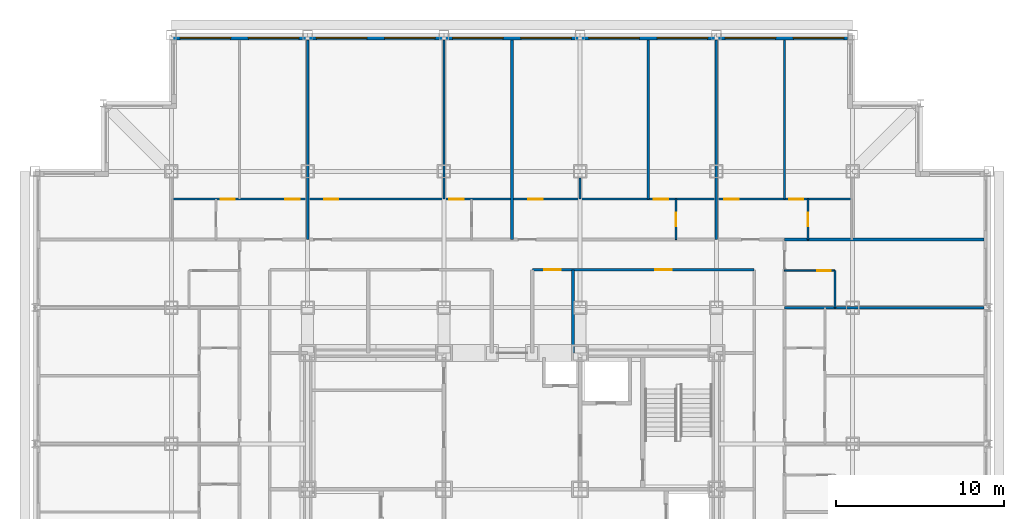
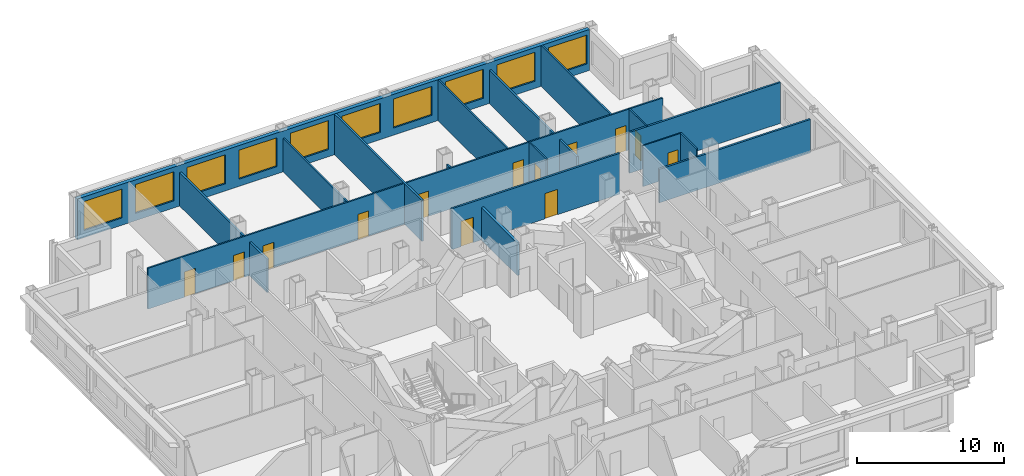
# One storey, part 10 of 12: 17 walls, 13 doors, 10 windows, 23 openings.
"""IFC4 building model written with IfcOpenShell, lengths in metres."""

from ifc_helpers import new_model, si_unit, direction, frame, frame_2d, origin, place, context, subcontext, project, spatial, rectangle, extrude, material, layer, layer_set, type_object, element, fill, save


model = new_model("IFC4")

# Units and contexts
model_context = context("Model", 3, precision=1e-05, world=origin(), true_north=direction((0.0, 1.0)))
body_context = subcontext(model_context, "Body", "Model", "MODEL_VIEW")
ifc_project = project(units=[si_unit("LENGTHUNIT", "METRE"), si_unit("AREAUNIT", "SQUARE_METRE"), si_unit("VOLUMEUNIT", "CUBIC_METRE"), si_unit("PLANEANGLEUNIT", "RADIAN"), si_unit("MASSUNIT", "GRAM", prefix="KILO")], contexts=[model_context])

# Site, building, storey
site_placement = place(None, origin())
site = spatial("IfcSite", under=ifc_project, at=site_placement, CompositionType="ELEMENT")
building_placement = place(site_placement, origin())
building = spatial("IfcBuilding", under=site, at=building_placement, Name="Kopane Lantern Tower", CompositionType="ELEMENT")
storey_placement = place(building_placement, frame((0.0, 0.0, 181.199951171875)))
storey = spatial("IfcBuildingStorey", under=building, at=storey_placement, Name="L46", CompositionType="ELEMENT", Elevation=181.199951171875)

# Walls
ifc_material_1 = material(Name="Gypsum board on steel studs", Category="steel")
ifc_layer_1 = layer(ifc_material_1, 0.1201171875)
ifc_layer_set_1 = layer_set([ifc_layer_1], Name="APARTMENT INTERNAL WALL 120")
wall_type_1 = type_object("IfcWallType", Name="APARTMENT INTERNAL WALL 120", PredefinedType="PARTITIONING", material=ifc_layer_set_1)
wall_1_placement = place(storey_placement, frame((24.300048828125, 49.64990234375, 0.0), z_axis=(0.0, 0.0, 1.0), x_axis=(0.0, 1.0, 0.0)))
element("IfcWall", 1, at=wall_1_placement, inside=storey, type_object=wall_type_1, Name="Apartment Internal Wall 120 L46", PredefinedType="PARTITIONING", context=body_context, shape_type="SweptSolid", body=[
    extrude(rectangle(XDim=9.4501953125, YDim=0.1201171875, at=frame_2d((4.72509765625, 0.0))), origin(), (0.0, 0.0, 1.0), 2.77783203125),
])
for number, where, z_axis, x_axis, name in (
    (2, (36.449951171875, 49.64990234375, 0.0), (0.0, 0.0, 1.0), (0.0, 1.0, 0.0), "Apartment Internal Wall 120 L46"),
    (3, (44.550048828125, 49.64990234375, 0.0), (0.0, 0.0, 1.0), (0.0, 1.0, 0.0), "Apartment Internal Wall 120 L46"),
):
    element("IfcWall", number, at=place(storey_placement, frame(where, z_axis=z_axis, x_axis=x_axis)), inside=storey, type_object=wall_type_1, Name=name, PredefinedType="PARTITIONING", context=body_context, shape_type="SweptSolid", body=[
        extrude(rectangle(XDim=9.4501953125, YDim=0.1201171875, at=frame_2d((4.72509765625, 0.0))), origin(), (0.0, 0.0, 1.0), 3.39013671875),
    ])

# Wall, openings, doors
wall_2_placement = place(storey_placement, frame((8.14990234375, 49.64990234375, 0.0), z_axis=(0.0, 0.0, 1.0), x_axis=(1.0, 0.0, 0.0)))
wall_2 = element("IfcWall", 4, at=wall_2_placement, inside=storey, type_object=wall_type_1, Name="Apartment Internal Wall 120 L46", PredefinedType="PARTITIONING", context=body_context, shape_type="SweptSolid", body=[
    extrude(rectangle(XDim=40.400146484375, YDim=0.1201171875, at=frame_2d((20.2001953125, 0.0))), origin(), (0.0, 0.0, 1.0), 3.39013671875),
])
opening_1_placement = place(wall_2_placement, frame((9.02490234375, 0.0, 0.0)))
opening_1 = element("IfcOpeningElement", 5, at=opening_1_placement, cuts=wall_2, Name="Opening L46-026", PredefinedType="OPENING", context=body_context, shape_type="SweptSolid", body=[
    extrude(rectangle(XDim=0.85009765625, YDim=2.10009765625, at=frame_2d((0.425048828125, 1.050048828125))), frame((0.0, 0.070068359375, 0.0), z_axis=(0.0, -1.0, 0.0), x_axis=(1.0, 0.0, 0.0)), (0.0, 0.0, 1.0), 0.14013671875),
])
opening_2_placement = place(wall_2_placement, frame((16.47509765625, 0.0, 0.0)))
opening_2 = element("IfcOpeningElement", 6, at=opening_2_placement, cuts=wall_2, Name="Opening L46-027", PredefinedType="OPENING", context=body_context, shape_type="SweptSolid", body=[
    extrude(rectangle(XDim=0.85009765625, YDim=2.10009765625, at=frame_2d((0.425048828125, 1.050048828125))), frame((0.0, 0.070068359375, 0.0), z_axis=(0.0, -1.0, 0.0), x_axis=(1.0, 0.0, 0.0)), (0.0, 0.0, 1.0), 0.14013671875),
])
opening_3_placement = place(wall_2_placement, frame((21.175048828125, 0.0, 0.0)))
opening_3 = element("IfcOpeningElement", 7, at=opening_3_placement, cuts=wall_2, Name="Opening L46-030", PredefinedType="OPENING", context=body_context, shape_type="SweptSolid", body=[
    extrude(rectangle(XDim=0.85009765625, YDim=2.10009765625, at=frame_2d((0.425048828125, 1.050048828125))), frame((0.0, 0.070068359375, 0.0), z_axis=(0.0, -1.0, 0.0), x_axis=(1.0, 0.0, 0.0)), (0.0, 0.0, 1.0), 0.14013671875),
])
opening_4_placement = place(wall_2_placement, frame((28.625, 0.0, 0.0)))
opening_4 = element("IfcOpeningElement", 8, at=opening_4_placement, cuts=wall_2, Name="Opening L46-031", PredefinedType="OPENING", context=body_context, shape_type="SweptSolid", body=[
    extrude(rectangle(XDim=0.85009765625, YDim=2.10009765625, at=frame_2d((0.425048828125, 1.050048828125))), frame((0.0, 0.070068359375, 0.0), z_axis=(0.0, -1.0, 0.0), x_axis=(1.0, 0.0, 0.0)), (0.0, 0.0, 1.0), 0.14013671875),
])
opening_5_placement = place(wall_2_placement, frame((32.824951171875, 0.0, 0.0)))
opening_5 = element("IfcOpeningElement", 9, at=opening_5_placement, cuts=wall_2, Name="Opening L46-069", PredefinedType="OPENING", context=body_context, shape_type="SweptSolid", body=[
    extrude(rectangle(XDim=0.85009765625, YDim=2.10009765625, at=frame_2d((0.425048828125, 1.050048828125))), frame((0.0, 0.070068359375, 0.0), z_axis=(0.0, -1.0, 0.0), x_axis=(1.0, 0.0, 0.0)), (0.0, 0.0, 1.0), 0.14013671875),
])
opening_6_placement = place(wall_2_placement, frame((36.675048828125, 0.0, 0.0)))
opening_6 = element("IfcOpeningElement", 10, at=opening_6_placement, cuts=wall_2, Name="Opening L46-071", PredefinedType="OPENING", context=body_context, shape_type="SweptSolid", body=[
    extrude(rectangle(XDim=0.85009765625, YDim=2.10009765625, at=frame_2d((0.425048828125, 1.050048828125))), frame((0.0, 0.070068359375, 0.0), z_axis=(0.0, -1.0, 0.0), x_axis=(1.0, 0.0, 0.0)), (0.0, 0.0, 1.0), 0.14013671875),
])
opening_7_placement = place(wall_2_placement, frame((6.72509765625, 0.0, 0.0)))
opening_7 = element("IfcOpeningElement", 11, at=opening_7_placement, cuts=wall_2, Name="Opening L46-073", PredefinedType="OPENING", context=body_context, shape_type="SweptSolid", body=[
    extrude(rectangle(XDim=0.85009765625, YDim=2.10009765625, at=frame_2d((0.425048828125, 1.050048828125))), frame((0.0, 0.070068359375, 0.0), z_axis=(0.0, -1.0, 0.0), x_axis=(1.0, 0.0, 0.0)), (0.0, 0.0, 1.0), 0.14013671875),
])
opening_8_placement = place(wall_2_placement, frame((2.875, 0.0, 0.0)))
opening_8 = element("IfcOpeningElement", 12, at=opening_8_placement, cuts=wall_2, Name="Opening L46-075", PredefinedType="OPENING", context=body_context, shape_type="SweptSolid", body=[
    extrude(rectangle(XDim=0.85009765625, YDim=2.10009765625, at=frame_2d((0.425048828125, 1.050048828125))), frame((0.0, 0.070068359375, 0.0), z_axis=(0.0, -1.0, 0.0), x_axis=(1.0, 0.0, 0.0)), (0.0, 0.0, 1.0), 0.14013671875),
])
ifc_material_2 = material(Name="Timber door set", Category="wood")
door_type_1 = type_object("IfcDoorType", Name="DOOR D4 850x2100", OperationType="SINGLE_SWING_LEFT", PredefinedType="DOOR", material=ifc_material_2)
door_1_placement = place(opening_1_placement, origin())
door_1 = element("IfcDoor", 13, at=door_1_placement, inside=storey, type_object=door_type_1, Name="Door L46-026", OperationType="SINGLE_SWING_LEFT", OverallHeight=2.10009765625, OverallWidth=0.85009765625, PredefinedType="DOOR", context=body_context, shape_type="SweptSolid", body=[
    extrude(rectangle(XDim=0.85009765625, YDim=2.10009765625, at=frame_2d((0.425048828125, 1.050048828125))), frame((0.0, 0.02490234375, 0.0), z_axis=(0.0, -1.0, 0.0), x_axis=(1.0, 0.0, 0.0)), (0.0, 0.0, 1.0), 0.050048828125),
])
fill(opening_1, door_1)
door_2_placement = place(opening_2_placement, origin())
door_2 = element("IfcDoor", 14, at=door_2_placement, inside=storey, type_object=door_type_1, Name="Door L46-027", OperationType="SINGLE_SWING_LEFT", OverallHeight=2.10009765625, OverallWidth=0.85009765625, PredefinedType="DOOR", context=body_context, shape_type="SweptSolid", body=[
    extrude(rectangle(XDim=0.85009765625, YDim=2.10009765625, at=frame_2d((0.425048828125, 1.050048828125))), frame((0.0, 0.02490234375, 0.0), z_axis=(0.0, -1.0, 0.0), x_axis=(1.0, 0.0, 0.0)), (0.0, 0.0, 1.0), 0.050048828125),
])
fill(opening_2, door_2)
door_3_placement = place(opening_3_placement, origin())
door_3 = element("IfcDoor", 15, at=door_3_placement, inside=storey, type_object=door_type_1, Name="Door L46-030", OperationType="SINGLE_SWING_RIGHT", OverallHeight=2.10009765625, OverallWidth=0.85009765625, PredefinedType="DOOR", context=body_context, shape_type="SweptSolid", body=[
    extrude(rectangle(XDim=0.85009765625, YDim=2.10009765625, at=frame_2d((0.425048828125, 1.050048828125))), frame((0.0, 0.02490234375, 0.0), z_axis=(0.0, -1.0, 0.0), x_axis=(1.0, 0.0, 0.0)), (0.0, 0.0, 1.0), 0.050048828125),
])
fill(opening_3, door_3)
door_4_placement = place(opening_4_placement, origin())
door_4 = element("IfcDoor", 16, at=door_4_placement, inside=storey, type_object=door_type_1, Name="Door L46-031", OperationType="SINGLE_SWING_LEFT", OverallHeight=2.10009765625, OverallWidth=0.85009765625, PredefinedType="DOOR", context=body_context, shape_type="SweptSolid", body=[
    extrude(rectangle(XDim=0.85009765625, YDim=2.10009765625, at=frame_2d((0.425048828125, 1.050048828125))), frame((0.0, 0.02490234375, 0.0), z_axis=(0.0, -1.0, 0.0), x_axis=(1.0, 0.0, 0.0)), (0.0, 0.0, 1.0), 0.050048828125),
])
fill(opening_4, door_4)
door_5_placement = place(opening_5_placement, origin())
door_5 = element("IfcDoor", 17, at=door_5_placement, inside=storey, type_object=door_type_1, Name="Door L46-069", OperationType="SINGLE_SWING_RIGHT", OverallHeight=2.10009765625, OverallWidth=0.85009765625, PredefinedType="DOOR", context=body_context, shape_type="SweptSolid", body=[
    extrude(rectangle(XDim=0.85009765625, YDim=2.10009765625, at=frame_2d((0.425048828125, 1.050048828125))), frame((0.0, 0.02490234375, 0.0), z_axis=(0.0, -1.0, 0.0), x_axis=(1.0, 0.0, 0.0)), (0.0, 0.0, 1.0), 0.050048828125),
])
fill(opening_5, door_5)
door_6_placement = place(opening_6_placement, origin())
door_6 = element("IfcDoor", 18, at=door_6_placement, inside=storey, type_object=door_type_1, Name="Door L46-071", OperationType="SINGLE_SWING_LEFT", OverallHeight=2.10009765625, OverallWidth=0.85009765625, PredefinedType="DOOR", context=body_context, shape_type="SweptSolid", body=[
    extrude(rectangle(XDim=0.85009765625, YDim=2.10009765625, at=frame_2d((0.425048828125, 1.050048828125))), frame((0.0, 0.02490234375, 0.0), z_axis=(0.0, -1.0, 0.0), x_axis=(1.0, 0.0, 0.0)), (0.0, 0.0, 1.0), 0.050048828125),
])
fill(opening_6, door_6)
door_7_placement = place(opening_7_placement, origin())
door_7 = element("IfcDoor", 19, at=door_7_placement, inside=storey, type_object=door_type_1, Name="Door L46-073", OperationType="SINGLE_SWING_LEFT", OverallHeight=2.10009765625, OverallWidth=0.85009765625, PredefinedType="DOOR", context=body_context, shape_type="SweptSolid", body=[
    extrude(rectangle(XDim=0.85009765625, YDim=2.10009765625, at=frame_2d((0.425048828125, 1.050048828125))), frame((0.0, 0.02490234375, 0.0), z_axis=(0.0, -1.0, 0.0), x_axis=(1.0, 0.0, 0.0)), (0.0, 0.0, 1.0), 0.050048828125),
])
fill(opening_7, door_7)
door_8_placement = place(opening_8_placement, origin())
door_8 = element("IfcDoor", 20, at=door_8_placement, inside=storey, type_object=door_type_1, Name="Door L46-075", OperationType="SINGLE_SWING_RIGHT", OverallHeight=2.10009765625, OverallWidth=0.85009765625, PredefinedType="DOOR", context=body_context, shape_type="SweptSolid", body=[
    extrude(rectangle(XDim=0.85009765625, YDim=2.10009765625, at=frame_2d((0.425048828125, 1.050048828125))), frame((0.0, 0.02490234375, 0.0), z_axis=(0.0, -1.0, 0.0), x_axis=(1.0, 0.0, 0.0)), (0.0, 0.0, 1.0), 0.050048828125),
])
fill(opening_8, door_8)

# Wall
wall_3_placement = place(storey_placement, frame((32.39990234375, 49.64990234375, 0.0), z_axis=(0.0, 0.0, 1.0), x_axis=(0.0, 1.0, 0.0)))
element("IfcWall", 21, at=wall_3_placement, inside=storey, type_object=wall_type_1, Name="Apartment Internal Wall 120 L46", PredefinedType="PARTITIONING", context=body_context, shape_type="SweptSolid", body=[
    extrude(rectangle(XDim=1.25, YDim=0.1201171875, at=frame_2d((0.625, 0.0))), origin(), (0.0, 0.0, 1.0), 2.77783203125),
])

# Wall, opening, door
ifc_material_3 = material(Name="Moisture-resistant board on steel studs", Category="steel")
ifc_layer_2 = layer(ifc_material_3, 0.10009765625)
ifc_layer_set_2 = layer_set([ifc_layer_2], Name="BATHROOM WALL 100")
wall_type_2 = type_object("IfcWallType", Name="BATHROOM WALL 100", PredefinedType="PARTITIONING", material=ifc_layer_set_2)
wall_4_placement = place(storey_placement, frame((38.10009765625, 47.25, 0.0), z_axis=(0.0, 0.0, 1.0), x_axis=(0.0, 1.0, 0.0)))
wall_4 = element("IfcWall", 22, at=wall_4_placement, inside=storey, type_object=wall_type_2, Name="Bathroom Wall 100 L46", PredefinedType="PARTITIONING", context=body_context, shape_type="SweptSolid", body=[
    extrude(rectangle(XDim=2.39990234375, YDim=0.10009765625, at=frame_2d((1.199951171875, 0.0))), origin(), (0.0, 0.0, 1.0), 3.39013671875),
])
opening_9_placement = place(wall_4_placement, frame((0.800048828125, 0.0, 0.0)))
opening_9 = element("IfcOpeningElement", 23, at=opening_9_placement, cuts=wall_4, Name="Opening L46-028", PredefinedType="OPENING", context=body_context, shape_type="SweptSolid", body=[
    extrude(rectangle(XDim=0.800048828125, YDim=2.10009765625, at=frame_2d((0.39990234375, 1.050048828125))), frame((0.0, 0.06005859375, 0.0), z_axis=(0.0, -1.0, 0.0), x_axis=(1.0, 0.0, 0.0)), (0.0, 0.0, 1.0), 0.1201171875),
])
ifc_material_4 = material(Name="Timber door set", Category="wood")
door_type_2 = type_object("IfcDoorType", Name="DOOR D2 800x2100", OperationType="SINGLE_SWING_LEFT", PredefinedType="DOOR", material=ifc_material_4)
door_9_placement = place(opening_9_placement, origin())
door_9 = element("IfcDoor", 24, at=door_9_placement, inside=storey, type_object=door_type_2, Name="Door L46-028", OperationType="SINGLE_SWING_RIGHT", OverallHeight=2.10009765625, OverallWidth=0.800048828125, PredefinedType="DOOR", context=body_context, shape_type="SweptSolid", body=[
    extrude(rectangle(XDim=0.800048828125, YDim=2.10009765625, at=frame_2d((0.39990234375, 1.050048828125))), frame((0.0, 0.02490234375, 0.0), z_axis=(0.0, -1.0, 0.0), x_axis=(1.0, 0.0, 0.0)), (0.0, 0.0, 1.0), 0.050048828125),
])
fill(opening_9, door_9)

# Wall
wall_5_placement = place(storey_placement, frame((47.550048828125, 43.199951171875, 0.0), z_axis=(0.0, 0.0, 1.0), x_axis=(0.0, 1.0, 0.0)))
element("IfcWall", 25, at=wall_5_placement, inside=storey, type_object=wall_type_2, Name="Bathroom Wall 100 L46", PredefinedType="PARTITIONING", context=body_context, shape_type="SweptSolid", body=[
    extrude(rectangle(XDim=2.199951171875, YDim=0.10009765625, at=frame_2d((1.10009765625, 0.0))), origin(), (0.0, 0.0, 1.0), 3.39013671875),
])

# Wall, opening, door
wall_6_placement = place(storey_placement, frame((44.550048828125, 45.39990234375, 0.0), z_axis=(0.0, 0.0, 1.0), x_axis=(1.0, 0.0, 0.0)))
wall_6 = element("IfcWall", 26, at=wall_6_placement, inside=storey, type_object=wall_type_2, Name="Bathroom Wall 100 L46", PredefinedType="PARTITIONING", context=body_context, shape_type="SweptSolid", body=[
    extrude(rectangle(XDim=3.0, YDim=0.10009765625, at=frame_2d((1.5, 0.0))), origin(), (0.0, 0.0, 1.0), 3.39013671875),
])
opening_10_placement = place(wall_6_placement, frame((1.949951171875, 0.0, 0.0)))
opening_10 = element("IfcOpeningElement", 27, at=opening_10_placement, cuts=wall_6, Name="Opening L46-058", PredefinedType="OPENING", context=body_context, shape_type="SweptSolid", body=[
    extrude(rectangle(XDim=0.800048828125, YDim=2.10009765625, at=frame_2d((0.39990234375, 1.050048828125))), frame((0.0, 0.06005859375, 0.0), z_axis=(0.0, -1.0, 0.0), x_axis=(1.0, 0.0, 0.0)), (0.0, 0.0, 1.0), 0.1201171875),
])
door_10_placement = place(opening_10_placement, origin())
door_10 = element("IfcDoor", 28, at=door_10_placement, inside=storey, type_object=door_type_2, Name="Door L46-058", OperationType="SINGLE_SWING_LEFT", OverallHeight=2.10009765625, OverallWidth=0.800048828125, PredefinedType="DOOR", context=body_context, shape_type="SweptSolid", body=[
    extrude(rectangle(XDim=0.800048828125, YDim=2.10009765625, at=frame_2d((0.39990234375, 1.050048828125))), frame((0.0, 0.02490234375, 0.0), z_axis=(0.0, -1.0, 0.0), x_axis=(1.0, 0.0, 0.0)), (0.0, 0.0, 1.0), 0.050048828125),
])
fill(opening_10, door_10)

wall_7_placement = place(storey_placement, frame((45.949951171875, 47.25, 0.0), z_axis=(0.0, 0.0, 1.0), x_axis=(0.0, 1.0, 0.0)))
wall_7 = element("IfcWall", 29, at=wall_7_placement, inside=storey, type_object=wall_type_2, Name="Bathroom Wall 100 L46", PredefinedType="PARTITIONING", context=body_context, shape_type="SweptSolid", body=[
    extrude(rectangle(XDim=2.39990234375, YDim=0.10009765625, at=frame_2d((1.199951171875, 0.0))), origin(), (0.0, 0.0, 1.0), 3.39013671875),
])
opening_11_placement = place(wall_7_placement, frame((0.800048828125, 0.0, 0.0)))
opening_11 = element("IfcOpeningElement", 30, at=opening_11_placement, cuts=wall_7, Name="Opening L46-070", PredefinedType="OPENING", context=body_context, shape_type="SweptSolid", body=[
    extrude(rectangle(XDim=0.800048828125, YDim=2.10009765625, at=frame_2d((0.39990234375, 1.050048828125))), frame((0.0, 0.06005859375, 0.0), z_axis=(0.0, -1.0, 0.0), x_axis=(1.0, 0.0, 0.0)), (0.0, 0.0, 1.0), 0.1201171875),
])
door_11_placement = place(opening_11_placement, origin())
door_11 = element("IfcDoor", 31, at=door_11_placement, inside=storey, type_object=door_type_2, Name="Door L46-070", OperationType="SINGLE_SWING_RIGHT", OverallHeight=2.10009765625, OverallWidth=0.800048828125, PredefinedType="DOOR", context=body_context, shape_type="SweptSolid", body=[
    extrude(rectangle(XDim=0.800048828125, YDim=2.10009765625, at=frame_2d((0.39990234375, 1.050048828125))), frame((0.0, 0.02490234375, 0.0), z_axis=(0.0, -1.0, 0.0), x_axis=(1.0, 0.0, 0.0)), (0.0, 0.0, 1.0), 0.050048828125),
])
fill(opening_11, door_11)

# Wall, openings, doors
ifc_material_5 = material(Name="Gypsum board on steel studs", Category="steel")
ifc_layer_3 = layer(ifc_material_5, 0.14990234375)
ifc_layer_set_3 = layer_set([ifc_layer_3], Name="CORRIDOR WALL 150 EI 60")
wall_type_3 = type_object("IfcWallType", Name="CORRIDOR WALL 150 EI 60", PredefinedType="PARTITIONING", material=ifc_layer_set_3)
wall_8_placement = place(storey_placement, frame((42.75, 45.449951171875, 0.0), z_axis=(0.0, 0.0, 1.0), x_axis=(-1.0, 0.0, 0.0)))
wall_8 = element("IfcWall", 32, at=wall_8_placement, inside=storey, type_object=wall_type_3, Name="Corridor Wall 150 Ei 60 L46", PredefinedType="PARTITIONING", context=body_context, shape_type="SweptSolid", body=[
    extrude(rectangle(XDim=13.18994140625, YDim=0.14990234375, at=frame_2d((6.594970703125, 0.0))), origin(), (0.0, 0.0, 1.0), 3.39013671875),
])
opening_12_placement = place(wall_8_placement, frame((11.48779296875, 0.0, 0.0)))
opening_12 = element("IfcOpeningElement", 33, at=opening_12_placement, cuts=wall_8, Name="Opening L46-010", PredefinedType="OPENING", context=body_context, shape_type="SweptSolid", body=[
    extrude(rectangle(XDim=1.0, YDim=2.10009765625, at=frame_2d((0.5, 1.050048828125))), frame((0.0, 0.0849609375, 0.0), z_axis=(0.0, -1.0, 0.0), x_axis=(1.0, 0.0, 0.0)), (0.0, 0.0, 1.0), 0.169921875),
])
opening_13_placement = place(wall_8_placement, frame((4.887939453125, 0.0, 0.0)))
opening_13 = element("IfcOpeningElement", 34, at=opening_13_placement, cuts=wall_8, Name="Opening L46-011", PredefinedType="OPENING", context=body_context, shape_type="SweptSolid", body=[
    extrude(rectangle(XDim=1.0, YDim=2.10009765625, at=frame_2d((0.5, 1.050048828125))), frame((0.0, 0.0849609375, 0.0), z_axis=(0.0, -1.0, 0.0), x_axis=(1.0, 0.0, 0.0)), (0.0, 0.0, 1.0), 0.169921875),
])
ifc_material_6 = material(Name="Steel door set", Category="steel")
door_type_3 = type_object("IfcDoorType", Name="DOOR D5 1000x2100 FD60", OperationType="SINGLE_SWING_LEFT", PredefinedType="DOOR", material=ifc_material_6)
door_12_placement = place(opening_12_placement, origin())
door_12 = element("IfcDoor", 35, at=door_12_placement, inside=storey, type_object=door_type_3, Name="Door L46-010", OperationType="SINGLE_SWING_RIGHT", OverallHeight=2.10009765625, OverallWidth=1.0, PredefinedType="DOOR", context=body_context, shape_type="SweptSolid", body=[
    extrude(rectangle(XDim=1.0, YDim=2.10009765625, at=frame_2d((0.5, 1.050048828125))), frame((0.0, 0.02490234375, 0.0), z_axis=(0.0, -1.0, 0.0), x_axis=(1.0, 0.0, 0.0)), (0.0, 0.0, 1.0), 0.050048828125),
])
fill(opening_12, door_12)
door_13_placement = place(opening_13_placement, origin())
door_13 = element("IfcDoor", 36, at=door_13_placement, inside=storey, type_object=door_type_3, Name="Door L46-011", OperationType="SINGLE_SWING_LEFT", OverallHeight=2.10009765625, OverallWidth=1.0, PredefinedType="DOOR", context=body_context, shape_type="SweptSolid", body=[
    extrude(rectangle(XDim=1.0, YDim=2.10009765625, at=frame_2d((0.5, 1.050048828125))), frame((0.0, 0.02490234375, 0.0), z_axis=(0.0, -1.0, 0.0), x_axis=(1.0, 0.0, 0.0)), (0.0, 0.0, 1.0), 0.050048828125),
])
fill(opening_13, door_13)

# Walls
ifc_material_7 = material(Name="Gypsum board on steel studs", Category="steel")
ifc_layer_4 = layer(ifc_material_7, 0.14990234375)
ifc_layer_set_4 = layer_set([ifc_layer_4], Name="DEMISING WALL 150 EI 60")
wall_type_4 = type_object("IfcWallType", Name="DEMISING WALL 150 EI 60", PredefinedType="PARTITIONING", material=ifc_layer_set_4)
wall_9_placement = place(storey_placement, frame((28.35009765625, 47.25, 0.0), z_axis=(0.0, 0.0, 1.0), x_axis=(0.0, 1.0, 0.0)))
element("IfcWall", 37, at=wall_9_placement, inside=storey, type_object=wall_type_4, Name="Demising Wall 150 Ei 60 L46", PredefinedType="PARTITIONING", context=body_context, shape_type="SweptSolid", body=[
    extrude(rectangle(XDim=11.85009765625, YDim=0.14990234375, at=frame_2d((5.925048828125, 0.0))), origin(), (0.0, 0.0, 1.0), 3.39013671875),
])
wall_10_placement = place(storey_placement, frame((44.550048828125, 43.199951171875, 0.0), z_axis=(0.0, 0.0, 1.0), x_axis=(1.0, 0.0, 0.0)))
element("IfcWall", 38, at=wall_10_placement, inside=storey, type_object=wall_type_4, Name="Demising Wall 150 Ei 60 L46", PredefinedType="PARTITIONING", context=body_context, shape_type="SweptSolid", body=[
    extrude(rectangle(XDim=11.849853515625, YDim=0.14990234375, at=frame_2d((5.9248046875, 0.0))), origin(), (0.0, 0.0, 1.0), 2.77783203125),
])
wall_11_placement = place(storey_placement, frame((44.550048828125, 47.25, 0.0), z_axis=(0.0, 0.0, 1.0), x_axis=(1.0, 0.0, 0.0)))
element("IfcWall", 39, at=wall_11_placement, inside=storey, type_object=wall_type_4, Name="Demising Wall 150 Ei 60 L46", PredefinedType="PARTITIONING", context=body_context, shape_type="SweptSolid", body=[
    extrude(rectangle(XDim=11.849853515625, YDim=0.14990234375, at=frame_2d((5.9248046875, 0.0))), origin(), (0.0, 0.0, 1.0), 3.39013671875),
])
for number, where, z_axis, x_axis, name in (
    (40, (40.5, 47.25, 0.0), (0.0, 0.0, 1.0), (0.0, 1.0, 0.0), "Demising Wall 150 Ei 60 L46"),
    (41, (16.199951171875, 47.25, 0.0), (0.0, 0.0, 1.0), (0.0, 1.0, 0.0), "Demising Wall 150 Ei 60 L46"),
):
    element("IfcWall", number, at=place(storey_placement, frame(where, z_axis=z_axis, x_axis=x_axis)), inside=storey, type_object=wall_type_4, Name=name, PredefinedType="PARTITIONING", context=body_context, shape_type="SweptSolid", body=[
        extrude(rectangle(XDim=11.85009765625, YDim=0.14990234375, at=frame_2d((5.925048828125, 0.0))), origin(), (0.0, 0.0, 1.0), 2.77783203125),
    ])

# Wall, openings, windows
ifc_material_8 = material(Name="Terracotta rainscreen on light steel framing", Category="masonry")
ifc_layer_5 = layer(ifc_material_8, 0.300048828125)
ifc_layer_set_5 = layer_set([ifc_layer_5], Name="EXTERNAL WALL EW1 300 TERRACOTTA")
wall_type_5 = type_object("IfcWallType", Name="EXTERNAL WALL EW1 300 TERRACOTTA", PredefinedType="SOLIDWALL", material=ifc_layer_set_5)
wall_12_placement = place(storey_placement, frame((48.300048828125, 59.25, 0.0), z_axis=(0.0, 0.0, 1.0), x_axis=(-1.0, 0.0, 0.0)))
wall_12 = element("IfcWall", 42, at=wall_12_placement, inside=storey, type_object=wall_type_5, Name="External wall N L46", PredefinedType="SOLIDWALL", context=body_context, shape_type="SweptSolid", body=[
    extrude(rectangle(XDim=40.199951171875, YDim=0.300048828125, at=frame_2d((20.10009765625, 0.0))), origin(), (0.0, 0.0, 1.0), 3.39013671875),
])
opening_14_placement = place(wall_12_placement, frame((0.22509765625, 0.0, 0.60009765625)))
opening_14 = element("IfcOpeningElement", 43, at=opening_14_placement, cuts=wall_12, Name="Opening WR300240", PredefinedType="OPENING", context=body_context, shape_type="SweptSolid", body=[
    extrude(rectangle(XDim=3.0, YDim=2.39990234375, at=frame_2d((1.5, 1.199951171875))), frame((0.0, 0.159912109375, 0.0), z_axis=(0.0, -1.0, 0.0), x_axis=(1.0, 0.0, 0.0)), (0.0, 0.0, 1.0), 0.320068359375),
])
opening_15_placement = place(wall_12_placement, frame((4.27490234375, 0.0, 0.60009765625)))
opening_15 = element("IfcOpeningElement", 44, at=opening_15_placement, cuts=wall_12, Name="Opening WR300240", PredefinedType="OPENING", context=body_context, shape_type="SweptSolid", body=[
    extrude(rectangle(XDim=3.0, YDim=2.39990234375, at=frame_2d((1.5, 1.199951171875))), frame((0.0, 0.159912109375, 0.0), z_axis=(0.0, -1.0, 0.0), x_axis=(1.0, 0.0, 0.0)), (0.0, 0.0, 1.0), 0.320068359375),
])
opening_16_placement = place(wall_12_placement, frame((8.324951171875, 0.0, 0.60009765625)))
opening_16 = element("IfcOpeningElement", 45, at=opening_16_placement, cuts=wall_12, Name="Opening WR300240", PredefinedType="OPENING", context=body_context, shape_type="SweptSolid", body=[
    extrude(rectangle(XDim=3.0, YDim=2.39990234375, at=frame_2d((1.5, 1.199951171875))), frame((0.0, 0.159912109375, 0.0), z_axis=(0.0, -1.0, 0.0), x_axis=(1.0, 0.0, 0.0)), (0.0, 0.0, 1.0), 0.320068359375),
])
opening_17_placement = place(wall_12_placement, frame((12.375, 0.0, 0.60009765625)))
opening_17 = element("IfcOpeningElement", 46, at=opening_17_placement, cuts=wall_12, Name="Opening WR300240", PredefinedType="OPENING", context=body_context, shape_type="SweptSolid", body=[
    extrude(rectangle(XDim=3.0, YDim=2.39990234375, at=frame_2d((1.5, 1.199951171875))), frame((0.0, 0.159912109375, 0.0), z_axis=(0.0, -1.0, 0.0), x_axis=(1.0, 0.0, 0.0)), (0.0, 0.0, 1.0), 0.320068359375),
])
opening_18_placement = place(wall_12_placement, frame((16.425048828125, 0.0, 0.60009765625)))
opening_18 = element("IfcOpeningElement", 47, at=opening_18_placement, cuts=wall_12, Name="Opening WR300240", PredefinedType="OPENING", context=body_context, shape_type="SweptSolid", body=[
    extrude(rectangle(XDim=3.0, YDim=2.39990234375, at=frame_2d((1.5, 1.199951171875))), frame((0.0, 0.159912109375, 0.0), z_axis=(0.0, -1.0, 0.0), x_axis=(1.0, 0.0, 0.0)), (0.0, 0.0, 1.0), 0.320068359375),
])
opening_19_placement = place(wall_12_placement, frame((20.47509765625, 0.0, 0.60009765625)))
opening_19 = element("IfcOpeningElement", 48, at=opening_19_placement, cuts=wall_12, Name="Opening WR300240", PredefinedType="OPENING", context=body_context, shape_type="SweptSolid", body=[
    extrude(rectangle(XDim=3.0, YDim=2.39990234375, at=frame_2d((1.5, 1.199951171875))), frame((0.0, 0.159912109375, 0.0), z_axis=(0.0, -1.0, 0.0), x_axis=(1.0, 0.0, 0.0)), (0.0, 0.0, 1.0), 0.320068359375),
])
opening_20_placement = place(wall_12_placement, frame((24.52490234375, 0.0, 0.60009765625)))
opening_20 = element("IfcOpeningElement", 49, at=opening_20_placement, cuts=wall_12, Name="Opening WR300240", PredefinedType="OPENING", context=body_context, shape_type="SweptSolid", body=[
    extrude(rectangle(XDim=3.0, YDim=2.39990234375, at=frame_2d((1.5, 1.199951171875))), frame((0.0, 0.159912109375, 0.0), z_axis=(0.0, -1.0, 0.0), x_axis=(1.0, 0.0, 0.0)), (0.0, 0.0, 1.0), 0.320068359375),
])
opening_21_placement = place(wall_12_placement, frame((28.574951171875, 0.0, 0.60009765625)))
opening_21 = element("IfcOpeningElement", 50, at=opening_21_placement, cuts=wall_12, Name="Opening WR300240", PredefinedType="OPENING", context=body_context, shape_type="SweptSolid", body=[
    extrude(rectangle(XDim=3.0, YDim=2.39990234375, at=frame_2d((1.5, 1.199951171875))), frame((0.0, 0.159912109375, 0.0), z_axis=(0.0, -1.0, 0.0), x_axis=(1.0, 0.0, 0.0)), (0.0, 0.0, 1.0), 0.320068359375),
])
opening_22_placement = place(wall_12_placement, frame((32.625, 0.0, 0.60009765625)))
opening_22 = element("IfcOpeningElement", 51, at=opening_22_placement, cuts=wall_12, Name="Opening WR300240", PredefinedType="OPENING", context=body_context, shape_type="SweptSolid", body=[
    extrude(rectangle(XDim=3.0, YDim=2.39990234375, at=frame_2d((1.5, 1.199951171875))), frame((0.0, 0.159912109375, 0.0), z_axis=(0.0, -1.0, 0.0), x_axis=(1.0, 0.0, 0.0)), (0.0, 0.0, 1.0), 0.320068359375),
])
opening_23_placement = place(wall_12_placement, frame((36.675048828125, 0.0, 0.60009765625)))
opening_23 = element("IfcOpeningElement", 52, at=opening_23_placement, cuts=wall_12, Name="Opening WR300240", PredefinedType="OPENING", context=body_context, shape_type="SweptSolid", body=[
    extrude(rectangle(XDim=3.0, YDim=2.39990234375, at=frame_2d((1.5, 1.199951171875))), frame((0.0, 0.159912109375, 0.0), z_axis=(0.0, -1.0, 0.0), x_axis=(1.0, 0.0, 0.0)), (0.0, 0.0, 1.0), 0.320068359375),
])
ifc_material_9 = material(Name="Aluminium and clear glass", Category="aluminium")
window_type = type_object("IfcWindowType", Name="RIBBON WINDOW WR300240 3000x2400", PartitioningType="SINGLE_PANEL", PredefinedType="WINDOW", material=ifc_material_9)
window_1_placement = place(opening_14_placement, origin())
window_1 = element("IfcWindow", 53, at=window_1_placement, inside=storey, type_object=window_type, Name="Window N L46", OverallHeight=2.39990234375, OverallWidth=3.0, PartitioningType="SINGLE_PANEL", PredefinedType="WINDOW", context=body_context, shape_type="SweptSolid", body=[
    extrude(rectangle(XDim=3.0, YDim=2.39990234375, at=frame_2d((1.5, 1.199951171875))), frame((0.0, 0.030029296875, 0.0), z_axis=(0.0, -1.0, 0.0), x_axis=(1.0, 0.0, 0.0)), (0.0, 0.0, 1.0), 0.06005859375),
])
fill(opening_14, window_1)
window_2_placement = place(opening_15_placement, origin())
window_2 = element("IfcWindow", 54, at=window_2_placement, inside=storey, type_object=window_type, Name="Window N L46", OverallHeight=2.39990234375, OverallWidth=3.0, PartitioningType="SINGLE_PANEL", PredefinedType="WINDOW", context=body_context, shape_type="SweptSolid", body=[
    extrude(rectangle(XDim=3.0, YDim=2.39990234375, at=frame_2d((1.5, 1.199951171875))), frame((0.0, 0.030029296875, 0.0), z_axis=(0.0, -1.0, 0.0), x_axis=(1.0, 0.0, 0.0)), (0.0, 0.0, 1.0), 0.06005859375),
])
fill(opening_15, window_2)
window_3_placement = place(opening_16_placement, origin())
window_3 = element("IfcWindow", 55, at=window_3_placement, inside=storey, type_object=window_type, Name="Window N L46", OverallHeight=2.39990234375, OverallWidth=3.0, PartitioningType="SINGLE_PANEL", PredefinedType="WINDOW", context=body_context, shape_type="SweptSolid", body=[
    extrude(rectangle(XDim=3.0, YDim=2.39990234375, at=frame_2d((1.5, 1.199951171875))), frame((0.0, 0.030029296875, 0.0), z_axis=(0.0, -1.0, 0.0), x_axis=(1.0, 0.0, 0.0)), (0.0, 0.0, 1.0), 0.06005859375),
])
fill(opening_16, window_3)
window_4_placement = place(opening_17_placement, origin())
window_4 = element("IfcWindow", 56, at=window_4_placement, inside=storey, type_object=window_type, Name="Window N L46", OverallHeight=2.39990234375, OverallWidth=3.0, PartitioningType="SINGLE_PANEL", PredefinedType="WINDOW", context=body_context, shape_type="SweptSolid", body=[
    extrude(rectangle(XDim=3.0, YDim=2.39990234375, at=frame_2d((1.5, 1.199951171875))), frame((0.0, 0.030029296875, 0.0), z_axis=(0.0, -1.0, 0.0), x_axis=(1.0, 0.0, 0.0)), (0.0, 0.0, 1.0), 0.06005859375),
])
fill(opening_17, window_4)
window_5_placement = place(opening_18_placement, origin())
window_5 = element("IfcWindow", 57, at=window_5_placement, inside=storey, type_object=window_type, Name="Window N L46", OverallHeight=2.39990234375, OverallWidth=3.0, PartitioningType="SINGLE_PANEL", PredefinedType="WINDOW", context=body_context, shape_type="SweptSolid", body=[
    extrude(rectangle(XDim=3.0, YDim=2.39990234375, at=frame_2d((1.5, 1.199951171875))), frame((0.0, 0.030029296875, 0.0), z_axis=(0.0, -1.0, 0.0), x_axis=(1.0, 0.0, 0.0)), (0.0, 0.0, 1.0), 0.06005859375),
])
fill(opening_18, window_5)
window_6_placement = place(opening_19_placement, origin())
window_6 = element("IfcWindow", 58, at=window_6_placement, inside=storey, type_object=window_type, Name="Window N L46", OverallHeight=2.39990234375, OverallWidth=3.0, PartitioningType="SINGLE_PANEL", PredefinedType="WINDOW", context=body_context, shape_type="SweptSolid", body=[
    extrude(rectangle(XDim=3.0, YDim=2.39990234375, at=frame_2d((1.5, 1.199951171875))), frame((0.0, 0.030029296875, 0.0), z_axis=(0.0, -1.0, 0.0), x_axis=(1.0, 0.0, 0.0)), (0.0, 0.0, 1.0), 0.06005859375),
])
fill(opening_19, window_6)
window_7_placement = place(opening_20_placement, origin())
window_7 = element("IfcWindow", 59, at=window_7_placement, inside=storey, type_object=window_type, Name="Window N L46", OverallHeight=2.39990234375, OverallWidth=3.0, PartitioningType="SINGLE_PANEL", PredefinedType="WINDOW", context=body_context, shape_type="SweptSolid", body=[
    extrude(rectangle(XDim=3.0, YDim=2.39990234375, at=frame_2d((1.5, 1.199951171875))), frame((0.0, 0.030029296875, 0.0), z_axis=(0.0, -1.0, 0.0), x_axis=(1.0, 0.0, 0.0)), (0.0, 0.0, 1.0), 0.06005859375),
])
fill(opening_20, window_7)
window_8_placement = place(opening_21_placement, origin())
window_8 = element("IfcWindow", 60, at=window_8_placement, inside=storey, type_object=window_type, Name="Window N L46", OverallHeight=2.39990234375, OverallWidth=3.0, PartitioningType="SINGLE_PANEL", PredefinedType="WINDOW", context=body_context, shape_type="SweptSolid", body=[
    extrude(rectangle(XDim=3.0, YDim=2.39990234375, at=frame_2d((1.5, 1.199951171875))), frame((0.0, 0.030029296875, 0.0), z_axis=(0.0, -1.0, 0.0), x_axis=(1.0, 0.0, 0.0)), (0.0, 0.0, 1.0), 0.06005859375),
])
fill(opening_21, window_8)
window_9_placement = place(opening_22_placement, origin())
window_9 = element("IfcWindow", 61, at=window_9_placement, inside=storey, type_object=window_type, Name="Window N L46", OverallHeight=2.39990234375, OverallWidth=3.0, PartitioningType="SINGLE_PANEL", PredefinedType="WINDOW", context=body_context, shape_type="SweptSolid", body=[
    extrude(rectangle(XDim=3.0, YDim=2.39990234375, at=frame_2d((1.5, 1.199951171875))), frame((0.0, 0.030029296875, 0.0), z_axis=(0.0, -1.0, 0.0), x_axis=(1.0, 0.0, 0.0)), (0.0, 0.0, 1.0), 0.06005859375),
])
fill(opening_22, window_9)
window_10_placement = place(opening_23_placement, origin())
window_10 = element("IfcWindow", 62, at=window_10_placement, inside=storey, type_object=window_type, Name="Window N L46", OverallHeight=2.39990234375, OverallWidth=3.0, PartitioningType="SINGLE_PANEL", PredefinedType="WINDOW", context=body_context, shape_type="SweptSolid", body=[
    extrude(rectangle(XDim=3.0, YDim=2.39990234375, at=frame_2d((1.5, 1.199951171875))), frame((0.0, 0.030029296875, 0.0), z_axis=(0.0, -1.0, 0.0), x_axis=(1.0, 0.0, 0.0)), (0.0, 0.0, 1.0), 0.06005859375),
])
fill(opening_23, window_10)

# Wall
ifc_material_10 = material(Name="Concrete masonry", Category="masonry")
ifc_layer_6 = layer(ifc_material_10, 0.199951171875)
ifc_layer_set_6 = layer_set([ifc_layer_6], Name="PLANT ROOM WALL 200 EI 120")
wall_type_6 = type_object("IfcWallType", Name="PLANT ROOM WALL 200 EI 120", PredefinedType="SOLIDWALL", material=ifc_layer_set_6)
wall_13_placement = place(storey_placement, frame((31.97412109375, 45.449951171875, 0.0), z_axis=(0.0, 0.0, 1.0), x_axis=(0.0, -1.0, 0.0)))
element("IfcWall", 63, at=wall_13_placement, inside=storey, type_object=wall_type_6, Name="Plant Room Wall 200 Ei 120 L46", PredefinedType="SOLIDWALL", context=body_context, shape_type="SweptSolid", body=[
    extrude(rectangle(XDim=4.949951171875, YDim=0.199951171875, at=frame_2d((2.47509765625, 0.0))), origin(), (0.0, 0.0, 1.0), 2.68994140625),
])

save(model, "model.ifc")
